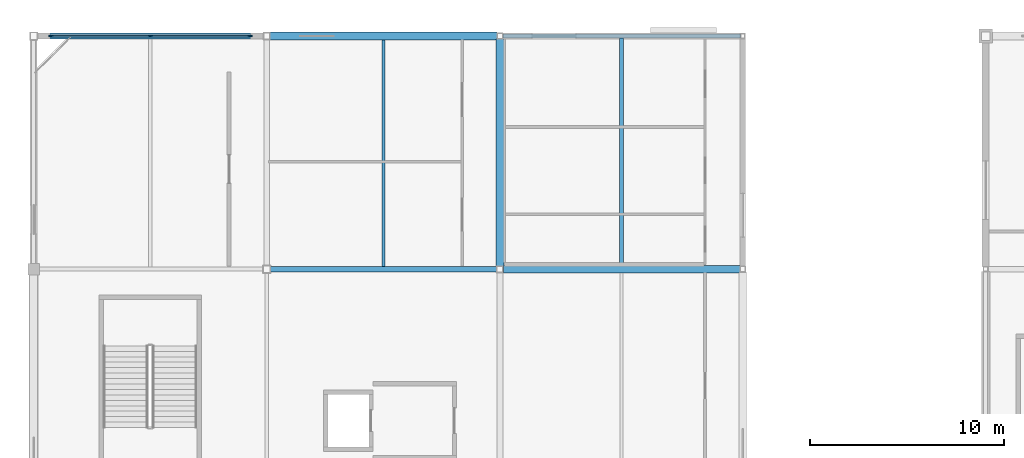
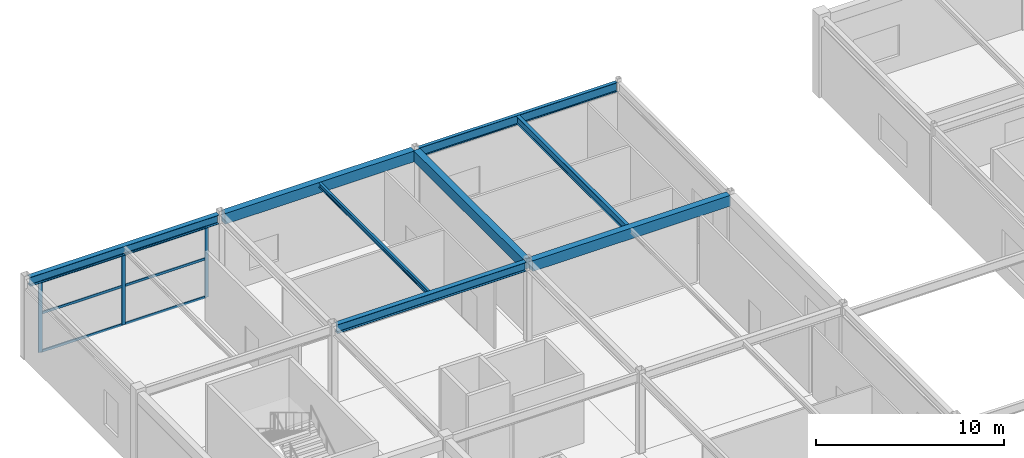
# One storey, part 51 of 105: 9 members, 8 beams, 1 element without a shape of its own.
"""IFC4 building model written with IfcOpenShell, lengths in metres."""

from ifc_helpers import new_model, si_unit, direction, frame, origin, origin_2d, place, context, subcontext, project, spatial, rectangle, i_section, extrude, material, layer, layer_set, material_profile, profile_set, type_object, element, aggregate, save


model = new_model("IFC4")

# Units and contexts
model_context = context("Model", 3, precision=1e-05, world=origin(), true_north=direction((0.0, 1.0)))
body_context = subcontext(model_context, "Body", "Model", "MODEL_VIEW")
ifc_project = project(units=[si_unit("LENGTHUNIT", "METRE"), si_unit("AREAUNIT", "SQUARE_METRE"), si_unit("VOLUMEUNIT", "CUBIC_METRE"), si_unit("PLANEANGLEUNIT", "RADIAN"), si_unit("MASSUNIT", "GRAM", prefix="KILO")], contexts=[model_context])

# Site, building, storey
site_placement = place(None, origin())
site = spatial("IfcSite", under=ifc_project, at=site_placement, CompositionType="ELEMENT")
building_placement = place(site_placement, origin())
building = spatial("IfcBuilding", under=site, at=building_placement, Name="Kazenohara Klinker Stadium", CompositionType="ELEMENT")
storey_placement = place(building_placement, frame((0.0, 0.0, 20.39990234375)))
storey = spatial("IfcBuildingStorey", under=building, at=storey_placement, Name="L04", CompositionType="ELEMENT", Elevation=20.39990234375)

# Beams
ifc_material_1 = material(Name="Steel S355", Category="steel")
ifc_material_profile_1 = material_profile(ifc_material_1, i_section(OverallWidth=0.199951171875, OverallDepth=0.5, WebThickness=0.010009765625, FlangeThickness=0.01611328125, FilletRadius=0.012939453125, at=origin_2d()), Name="H-500x200x10x16")
ifc_profile_set_1 = profile_set([ifc_material_profile_1], Name="Steel S355")
beam_type_1 = type_object("IfcBeamType", Name="BM-JST01", PredefinedType="JOIST", material=ifc_profile_set_1)
beam_1_placement = place(storey_placement, frame((30.25, 156.199951171875, 4.93017578125), z_axis=(0.0, 1.0, 0.0), x_axis=(-1.0, 0.0, 0.0)))
element("IfcBeam", 1, at=beam_1_placement, inside=storey, type_object=beam_type_1, Name="Secondary floor joist SJ01 L04 3/P", PredefinedType="JOIST", context=body_context, shape_type="SweptSolid", body=[
    extrude(i_section(OverallWidth=0.199951171875, OverallDepth=0.5, WebThickness=0.010009765625, FlangeThickness=0.01611328125, FilletRadius=0.012939453125, at=origin_2d()), origin(), (0.0, 0.0, 1.0), 11.699951171875),
])
ifc_material_profile_2 = material_profile(ifc_material_1, i_section(OverallWidth=0.14990234375, OverallDepth=0.300048828125, WebThickness=0.006591796875, FlangeThickness=0.009033203125, FilletRadius=0.012939453125, at=origin_2d()), Name="H-300x150x6.5x9")
ifc_profile_set_2 = profile_set([ifc_material_profile_2], Name="Steel S355")
beam_type_2 = type_object("IfcBeamType", Name="BM-JST05", PredefinedType="JOIST", material=ifc_profile_set_2)
beam_2_placement = place(storey_placement, frame((18.0, 156.14990234375, 5.030029296875), z_axis=(0.0, 1.0, 0.0), x_axis=(-1.0, 0.0, 0.0)))
element("IfcBeam", 2, at=beam_2_placement, inside=storey, type_object=beam_type_2, Name="Secondary floor joist SJ05 L04 2/P", PredefinedType="JOIST", context=body_context, shape_type="SweptSolid", body=[
    extrude(i_section(OverallWidth=0.14990234375, OverallDepth=0.300048828125, WebThickness=0.006591796875, FlangeThickness=0.009033203125, FilletRadius=0.012939453125, at=origin_2d()), origin(), (0.0, 0.0, 1.0), 11.650146484375),
])
ifc_material_2 = material(Name="Concrete C40/50", Category="concrete")
ifc_material_profile_3 = material_profile(ifc_material_2, rectangle(XDim=0.39990234375, YDim=0.699951171875, at=origin_2d()), Name="RC-BM-400x700")
ifc_profile_set_3 = profile_set([ifc_material_profile_3], Name="Concrete C40/50")
beam_type_3 = type_object("IfcBeamType", Name="BM-RC04", PredefinedType="BEAM", material=ifc_profile_set_3)
beam_3_placement = place(storey_placement, frame((12.175048828125, 168.0, 4.830078125), z_axis=(1.0, 0.0, 0.0), x_axis=(0.0, 1.0, 0.0)))
element("IfcBeam", 3, at=beam_3_placement, inside=storey, type_object=beam_type_3, Name="Primary girder BG04 L04 2-3/Q", PredefinedType="BEAM", context=body_context, shape_type="SweptSolid", body=[
    extrude(rectangle(XDim=0.39990234375, YDim=0.699951171875, at=origin_2d()), origin(), (0.0, 0.0, 1.0), 11.675048828125),
])
beam_4_placement = place(storey_placement, frame((24.175048828125, 156.0, 4.830078125), z_axis=(1.0, 0.0, 0.0), x_axis=(0.0, 1.0, 0.0)))
element("IfcBeam", 4, at=beam_4_placement, inside=storey, type_object=beam_type_3, Name="Primary girder BG04 L04 3-4/P", PredefinedType="BEAM", context=body_context, shape_type="SweptSolid", body=[
    extrude(rectangle(XDim=0.39990234375, YDim=0.699951171875, at=origin_2d()), origin(), (0.0, 0.0, 1.0), 12.175048828125),
])
beam_5_placement = place(storey_placement, frame((24.0, 156.175048828125, 4.830078125), z_axis=(0.0, 1.0, 0.0), x_axis=(-1.0, 0.0, 0.0)))
element("IfcBeam", 5, at=beam_5_placement, inside=storey, type_object=beam_type_3, Name="Primary girder BG04 L04 3/P-Q", PredefinedType="BEAM", context=body_context, shape_type="SweptSolid", body=[
    extrude(rectangle(XDim=0.39990234375, YDim=0.699951171875, at=origin_2d()), origin(), (0.0, 0.0, 1.0), 11.675048828125),
])
ifc_material_profile_4 = material_profile(ifc_material_1, i_section(OverallWidth=0.199951171875, OverallDepth=0.60009765625, WebThickness=0.010986328125, FlangeThickness=0.01708984375, FilletRadius=0.012939453125, at=origin_2d()), Name="H-600x200x11x17")
ifc_profile_set_4 = profile_set([ifc_material_profile_4], Name="Steel S355")
beam_type_4 = type_object("IfcBeamType", Name="BM-ST04", PredefinedType="BEAM", material=ifc_profile_set_4)
beam_6_placement = place(storey_placement, frame((24.14990234375, 168.0, 4.880126953125), z_axis=(1.0, 0.0, 0.0), x_axis=(0.0, 1.0, 0.0)))
element("IfcBeam", 6, at=beam_6_placement, inside=storey, type_object=beam_type_4, Name="Primary girder SB04 L04 3-4/Q", PredefinedType="BEAM", context=body_context, shape_type="SweptSolid", body=[
    extrude(i_section(OverallWidth=0.199951171875, OverallDepth=0.60009765625, WebThickness=0.010986328125, FlangeThickness=0.01708984375, FilletRadius=0.012939453125, at=origin_2d()), origin(), (0.0, 0.0, 1.0), 12.22509765625),
])
ifc_material_profile_5 = material_profile(ifc_material_1, i_section(OverallWidth=0.300048828125, OverallDepth=0.587890625, WebThickness=0.011962890625, FlangeThickness=0.02001953125, FilletRadius=0.02197265625, at=origin_2d()), Name="H-588x300x12x20")
ifc_profile_set_5 = profile_set([ifc_material_profile_5], Name="Steel S355")
beam_type_5 = type_object("IfcBeamType", Name="BM-ST05", PredefinedType="BEAM", material=ifc_profile_set_5)
for number, where, z_axis, x_axis, name in (
    (7, (0.199951171875, 168.0, 4.885986328125), (1.0, 0.0, 0.0), (0.0, 1.0, 0.0), "Primary girder SB05 L04 1-2/Q"),
    (8, (12.199951171875, 156.0, 4.885986328125), (1.0, 0.0, 0.0), (0.0, 1.0, 0.0), "Primary girder SB05 L04 2-3/P"),
):
    element("IfcBeam", number, at=place(storey_placement, frame(where, z_axis=z_axis, x_axis=x_axis)), inside=storey, type_object=beam_type_5, Name=name, PredefinedType="BEAM", context=body_context, shape_type="SweptSolid", body=[
        extrude(i_section(OverallWidth=0.300048828125, OverallDepth=0.587890625, WebThickness=0.011962890625, FlangeThickness=0.02001953125, FilletRadius=0.02197265625, at=origin_2d()), origin(), (0.0, 0.0, 1.0), 11.625),
    ])

# Curtain wall, members
ifc_material_3 = material(Name="Anodised aluminium and triple glazing", Category="aluminium")
ifc_layer = layer(ifc_material_3, 0.179931640625)
ifc_layer_set = layer_set([ifc_layer], Name="Anodised aluminium and triple glazing")
curtain_wall_type = type_object("IfcCurtainWallType", Name="CW-SYS-02", PredefinedType="USERDEFINED", material=ifc_layer_set)
curtain_wall_placement = place(storey_placement, origin())
curtain_wall = element("IfcCurtainWall", 9, at=curtain_wall_placement, inside=storey, type_object=curtain_wall_type, Name="Unitised facade curtain wall CW02 L04 X0-14", ObjectType="UNITISED CURTAIN WALL", PredefinedType="USERDEFINED")
ifc_material_4 = material(Name="Anodised aluminium 6063-T6", Category="aluminium")
ifc_material_profile_6 = material_profile(ifc_material_4, rectangle(XDim=0.074951171875, YDim=0.219970703125, at=origin_2d()), Name="ALU-MUL-75x220")
ifc_profile_set_6 = profile_set([ifc_material_profile_6], Name="Anodised aluminium 6063-T6")
member_type_1 = type_object("IfcMemberType", Name="CW-MUL-220", PredefinedType="MULLION", material=ifc_profile_set_6)
member_1_placement = place(storey_placement, frame((0.8916015625, 168.0, 0.0), z_axis=(0.0, 0.0, 1.0), x_axis=(0.0, 1.0, 0.0)))
member_1 = element("IfcMember", 10, at=member_1_placement, type_object=member_type_1, Name="CW02 mullion 1", PredefinedType="MULLION", context=body_context, shape_type="SweptSolid", body=[
    extrude(rectangle(XDim=0.074951171875, YDim=0.219970703125, at=origin_2d()), origin(), (0.0, 0.0, 1.0), 4.592041015625),
])
member_2_placement = place(storey_placement, frame((6.012451171875, 168.0, 0.0), z_axis=(0.0, 0.0, 1.0), x_axis=(0.0, 1.0, 0.0)))
member_2 = element("IfcMember", 11, at=member_2_placement, type_object=member_type_1, Name="CW02 mullion 2", PredefinedType="MULLION", context=body_context, shape_type="SweptSolid", body=[
    extrude(rectangle(XDim=0.074951171875, YDim=0.219970703125, at=origin_2d()), origin(), (0.0, 0.0, 1.0), 4.592041015625),
])
member_3_placement = place(storey_placement, frame((11.133544921875, 168.0, 0.0), z_axis=(0.0, 0.0, 1.0), x_axis=(0.0, 1.0, 0.0)))
member_3 = element("IfcMember", 12, at=member_3_placement, type_object=member_type_1, Name="CW02 mullion 3", PredefinedType="MULLION", context=body_context, shape_type="SweptSolid", body=[
    extrude(rectangle(XDim=0.074951171875, YDim=0.219970703125, at=origin_2d()), origin(), (0.0, 0.0, 1.0), 4.592041015625),
])
ifc_material_profile_7 = material_profile(ifc_material_4, rectangle(XDim=0.074951171875, YDim=0.159912109375, at=origin_2d()), Name="ALU-TRN-75x160")
ifc_profile_set_7 = profile_set([ifc_material_profile_7], Name="Anodised aluminium 6063-T6")
member_type_2 = type_object("IfcMemberType", Name="CW-TRN-160", PredefinedType="USERDEFINED", material=ifc_profile_set_7)
member_4_placement = place(storey_placement, frame((0.928955078125, 168.0, 0.03759765625), z_axis=(1.0, 0.0, 0.0), x_axis=(0.0, 1.0, 0.0)))
member_4 = element("IfcMember", 13, at=member_4_placement, type_object=member_type_2, Name="CW02 transom 1.1", ObjectType="TRANSOM", PredefinedType="USERDEFINED", context=body_context, shape_type="SweptSolid", body=[
    extrude(rectangle(XDim=0.074951171875, YDim=0.159912109375, at=origin_2d()), origin(), (0.0, 0.0, 1.0), 5.046142578125),
])
member_5_placement = place(storey_placement, frame((0.928955078125, 168.0, 2.525634765625), z_axis=(1.0, 0.0, 0.0), x_axis=(0.0, 1.0, 0.0)))
member_5 = element("IfcMember", 14, at=member_5_placement, type_object=member_type_2, Name="CW02 transom 1.2", ObjectType="TRANSOM", PredefinedType="USERDEFINED", context=body_context, shape_type="SweptSolid", body=[
    extrude(rectangle(XDim=0.074951171875, YDim=0.159912109375, at=origin_2d()), origin(), (0.0, 0.0, 1.0), 5.046142578125),
])
member_6_placement = place(storey_placement, frame((0.928955078125, 168.0, 4.5546875), z_axis=(1.0, 0.0, 0.0), x_axis=(0.0, 1.0, 0.0)))
member_6 = element("IfcMember", 15, at=member_6_placement, type_object=member_type_2, Name="CW02 transom 1.3", ObjectType="TRANSOM", PredefinedType="USERDEFINED", context=body_context, shape_type="SweptSolid", body=[
    extrude(rectangle(XDim=0.074951171875, YDim=0.159912109375, at=origin_2d()), origin(), (0.0, 0.0, 1.0), 5.046142578125),
])
member_7_placement = place(storey_placement, frame((6.050048828125, 168.0, 0.03759765625), z_axis=(1.0, 0.0, 0.0), x_axis=(0.0, 1.0, 0.0)))
member_7 = element("IfcMember", 16, at=member_7_placement, type_object=member_type_2, Name="CW02 transom 2.1", ObjectType="TRANSOM", PredefinedType="USERDEFINED", context=body_context, shape_type="SweptSolid", body=[
    extrude(rectangle(XDim=0.074951171875, YDim=0.159912109375, at=origin_2d()), origin(), (0.0, 0.0, 1.0), 5.0458984375),
])
member_8_placement = place(storey_placement, frame((6.050048828125, 168.0, 2.525634765625), z_axis=(1.0, 0.0, 0.0), x_axis=(0.0, 1.0, 0.0)))
member_8 = element("IfcMember", 17, at=member_8_placement, type_object=member_type_2, Name="CW02 transom 2.2", ObjectType="TRANSOM", PredefinedType="USERDEFINED", context=body_context, shape_type="SweptSolid", body=[
    extrude(rectangle(XDim=0.074951171875, YDim=0.159912109375, at=origin_2d()), origin(), (0.0, 0.0, 1.0), 5.0458984375),
])
member_9_placement = place(storey_placement, frame((6.050048828125, 168.0, 4.5546875), z_axis=(1.0, 0.0, 0.0), x_axis=(0.0, 1.0, 0.0)))
member_9 = element("IfcMember", 18, at=member_9_placement, type_object=member_type_2, Name="CW02 transom 2.3", ObjectType="TRANSOM", PredefinedType="USERDEFINED", context=body_context, shape_type="SweptSolid", body=[
    extrude(rectangle(XDim=0.074951171875, YDim=0.159912109375, at=origin_2d()), origin(), (0.0, 0.0, 1.0), 5.0458984375),
])
aggregate(curtain_wall, [member_1, member_2, member_3, member_4, member_5, member_6, member_7, member_8, member_9])

save(model, "model.ifc")
